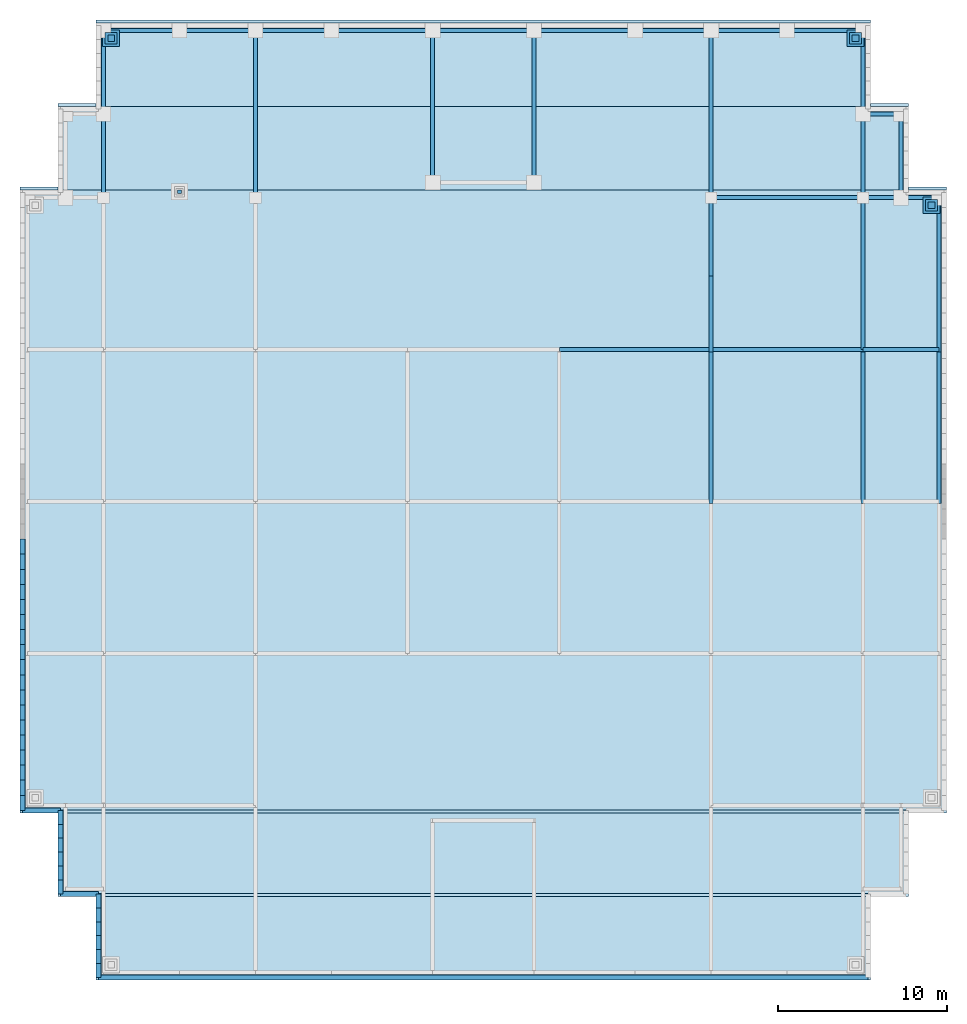
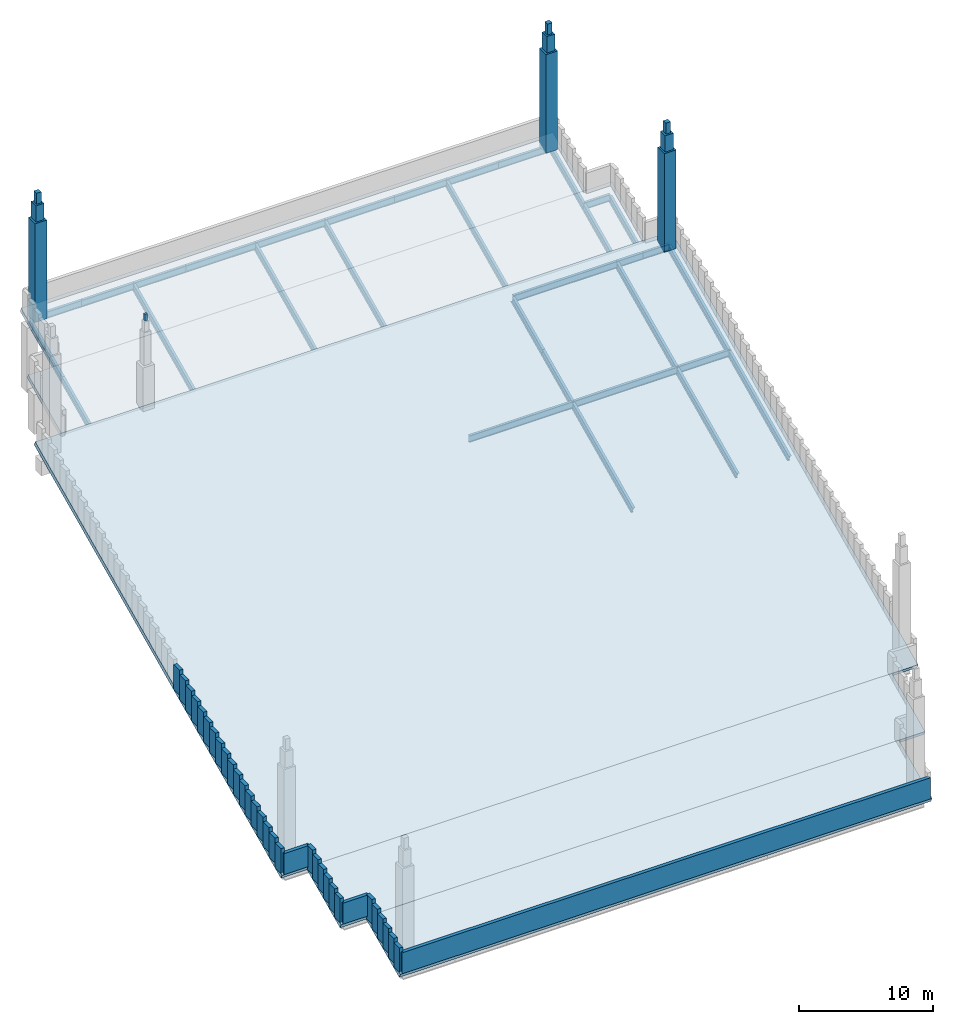
# One storey, part 2 of 5: 33 walls, 32 beams, 10 members, 5 slabs.
"""IFC4 building model written with IfcOpenShell, lengths in metres."""

from ifc_helpers import new_model, si_unit, direction, frame, frame_2d, origin, origin_2d, place, context, subcontext, project, spatial, polyline, rectangle, i_section, outline, extrude, material, layer, layer_set, material_profile, profile_set, type_object, element, save


model = new_model("IFC4")

# Units and contexts
model_context = context("Model", 3, precision=1e-05, world=origin(), true_north=direction((0.0, 1.0)))
body_context = subcontext(model_context, "Body", "Model", "MODEL_VIEW")
ifc_project = project(units=[si_unit("LENGTHUNIT", "METRE"), si_unit("AREAUNIT", "SQUARE_METRE"), si_unit("VOLUMEUNIT", "CUBIC_METRE"), si_unit("PLANEANGLEUNIT", "RADIAN"), si_unit("MASSUNIT", "GRAM", prefix="KILO")], contexts=[model_context])

# Site, building, storey
site_placement = place(None, origin())
site = spatial("IfcSite", under=ifc_project, at=site_placement, CompositionType="ELEMENT")
building_placement = place(site_placement, origin())
building = spatial("IfcBuilding", under=site, at=building_placement, Name="Corbelhall Arena Tower", CompositionType="ELEMENT")
storey_placement = place(building_placement, frame((0.0, 0.0, 391.0)))
storey = spatial("IfcBuildingStorey", under=building, at=storey_placement, Name="Roof", CompositionType="ELEMENT", Elevation=391.0)

# Members
ifc_material_1 = material(Name="Cast aluminium bronze finish", Category="aluminium")
ifc_material_profile_1 = material_profile(ifc_material_1, rectangle(XDim=1.0, YDim=1.0, at=origin_2d()))
ifc_profile_set_1 = profile_set([ifc_material_profile_1], Name="Cast aluminium bronze finish")
member_type_1 = type_object("IfcMemberType", Name="EV-PN3 Crown finial", PredefinedType="USERDEFINED", material=ifc_profile_set_1)
for number, where, z_axis, x_axis, name in (
    (1, (-22.050048828125, 27.449951171875, 6.607421875), (0.0, 0.0, 1.0), (1.0, 0.0, 0.0), "Crown finial"),
    (2, (22.050048828125, 27.449951171875, 6.607421875), (0.0, 0.0, 1.0), (1.0, 0.0, 0.0), "Crown finial"),
    (3, (26.550048828125, 17.550048828125, 1.994384765625), (0.0, 0.0, 1.0), (1.0, 0.0, 0.0), "Crown finial"),
):
    element("IfcMember", number, at=place(storey_placement, frame(where, z_axis=z_axis, x_axis=x_axis)), inside=storey, type_object=member_type_1, Name=name, ObjectType="pinnacle", PredefinedType="USERDEFINED", context=body_context, shape_type="SweptSolid", body=[
        extrude(rectangle(XDim=1.0, YDim=1.0, at=origin_2d()), origin(), (0.0, 0.0, 1.0), 9.0),
    ])
ifc_material_profile_2 = material_profile(ifc_material_1, rectangle(XDim=0.699951171875, YDim=0.699951171875, at=origin_2d()))
ifc_profile_set_2 = profile_set([ifc_material_profile_2], Name="Cast aluminium bronze finish")
member_type_2 = type_object("IfcMemberType", Name="EV-PN4 Pinnacle upper stage 700", PredefinedType="USERDEFINED", material=ifc_profile_set_2)
for number, where, z_axis, x_axis, name in (
    (4, (-22.050048828125, 27.449951171875, 15.607421875), (0.0, 0.0, 1.0), (1.0, 0.0, 0.0), "Pinnacle upper stage"),
    (5, (22.050048828125, 27.449951171875, 15.607421875), (0.0, 0.0, 1.0), (1.0, 0.0, 0.0), "Pinnacle upper stage"),
    (6, (26.550048828125, 17.550048828125, 10.994384765625), (0.0, 0.0, 1.0), (1.0, 0.0, 0.0), "Pinnacle upper stage"),
):
    element("IfcMember", number, at=place(storey_placement, frame(where, z_axis=z_axis, x_axis=x_axis)), inside=storey, type_object=member_type_2, Name=name, ObjectType="pinnacle stage", PredefinedType="USERDEFINED", context=body_context, shape_type="SweptSolid", body=[
        extrude(rectangle(XDim=0.699951171875, YDim=0.699951171875, at=origin_2d()), origin(), (0.0, 0.0, 1.0), 1.5),
    ])
ifc_material_profile_3 = material_profile(ifc_material_1, rectangle(XDim=0.39990234375, YDim=0.39990234375, at=origin_2d()))
ifc_profile_set_3 = profile_set([ifc_material_profile_3], Name="Cast aluminium bronze finish")
member_type_3 = type_object("IfcMemberType", Name="EV-PN5 Pinnacle spire 400", PredefinedType="USERDEFINED", material=ifc_profile_set_3)
for number, where, z_axis, x_axis, name in (
    (7, (-22.050048828125, 27.449951171875, 17.107421875), (0.0, 0.0, 1.0), (1.0, 0.0, 0.0), "Pinnacle spire"),
    (8, (22.050048828125, 27.449951171875, 17.107421875), (0.0, 0.0, 1.0), (1.0, 0.0, 0.0), "Pinnacle spire"),
    (9, (26.550048828125, 17.550048828125, 12.494384765625), (0.0, 0.0, 1.0), (1.0, 0.0, 0.0), "Pinnacle spire"),
):
    element("IfcMember", number, at=place(storey_placement, frame(where, z_axis=z_axis, x_axis=x_axis)), inside=storey, type_object=member_type_3, Name=name, ObjectType="pinnacle spire", PredefinedType="USERDEFINED", context=body_context, shape_type="SweptSolid", body=[
        extrude(rectangle(XDim=0.39990234375, YDim=0.39990234375, at=origin_2d()), origin(), (0.0, 0.0, 1.0), 1.0),
    ])
ifc_material_profile_4 = material_profile(ifc_material_1, rectangle(XDim=0.219970703125, YDim=0.219970703125, at=origin_2d()))
ifc_profile_set_4 = profile_set([ifc_material_profile_4], Name="Cast aluminium bronze finish")
member_type_4 = type_object("IfcMemberType", Name="EV-PN7 Pinnacle spire 220", PredefinedType="USERDEFINED", material=ifc_profile_set_4)
member_placement = place(storey_placement, frame((-18.0, 18.35009765625, 10.4501953125), z_axis=(0.0, 0.0, 1.0), x_axis=(1.0, 0.0, 0.0)))
element("IfcMember", 10, at=member_placement, inside=storey, type_object=member_type_4, Name="Pinnacle spire", ObjectType="pinnacle spire", PredefinedType="USERDEFINED", context=body_context, shape_type="SweptSolid", body=[
    extrude(rectangle(XDim=0.219970703125, YDim=0.219970703125, at=origin_2d()), origin(), (0.0, 0.0, 1.0), 0.60009765625),
])

# Beams
ifc_material_2 = material(Name="Steel ASTM A992 Gr50", Category="steel")
ifc_material_profile_5 = material_profile(ifc_material_2, i_section(OverallWidth=0.23046875, OverallDepth=0.6171875, WebThickness=0.01318359375, FlangeThickness=0.022216796875, at=origin_2d()))
ifc_profile_set_5 = profile_set([ifc_material_profile_5], Name="Steel ASTM A992 Gr50")
beam_type = type_object("IfcBeamType", Name="ST-BEAM-W24x94", PredefinedType="BEAM", material=ifc_profile_set_5)
for number, where, z_axis, x_axis, name in (
    (11, (-22.5, 18.0, 1.582763671875), (0.0, 0.906417137313, 0.422383680066), (-1.0, 0.0, 0.0), "Roof beam 13"),
    (12, (-22.5, 22.949951171875, 3.889404296875), (0.0, 0.9064342529, 0.422346948811), (-1.0, 0.0, 0.0), "Roof beam 14"),
):
    element("IfcBeam", number, at=place(storey_placement, frame(where, z_axis=z_axis, x_axis=x_axis)), inside=storey, type_object=beam_type, Name=name, PredefinedType="BEAM", context=body_context, shape_type="SweptSolid", body=[
        extrude(i_section(OverallWidth=0.23046875, OverallDepth=0.6171875, WebThickness=0.01318359375, FlangeThickness=0.022216796875, at=origin_2d()), origin(), (0.0, 0.0, 1.0), 5.4609375),
    ])
beam_1_placement = place(storey_placement, frame((-13.5, 18.0, 1.582763671875), z_axis=(0.0, 0.906425695212, 0.422365314698), x_axis=(-1.0, 0.0, 0.0)))
element("IfcBeam", 13, at=beam_1_placement, inside=storey, type_object=beam_type, Name="Roof beam 20", PredefinedType="BEAM", context=body_context, shape_type="SweptSolid", body=[
    extrude(i_section(OverallWidth=0.23046875, OverallDepth=0.6171875, WebThickness=0.01318359375, FlangeThickness=0.022216796875, at=origin_2d()), origin(), (0.0, 0.0, 1.0), 10.921875),
])
for number, where, z_axis, x_axis, name in (
    (14, (-3.0, 18.89990234375, 2.002197265625), (0.0, 0.906429857547, 0.422356381919), (-1.0, 0.0, 0.0), "Roof beam 24"),
    (15, (3.0, 18.89990234375, 2.002197265625), (0.0, 0.906429857547, 0.422356381919), (-1.0, 0.0, 0.0), "Roof beam 26"),
    (16, (13.5, 0.0, -6.80419921875), (0.0, 0.906429857547, 0.422356381919), (-1.0, 0.0, 0.0), "Roof beam 32"),
):
    element("IfcBeam", number, at=place(storey_placement, frame(where, z_axis=z_axis, x_axis=x_axis)), inside=storey, type_object=beam_type, Name=name, PredefinedType="BEAM", context=body_context, shape_type="SweptSolid", body=[
        extrude(i_section(OverallWidth=0.23046875, OverallDepth=0.6171875, WebThickness=0.01318359375, FlangeThickness=0.022216796875, at=origin_2d()), origin(), (0.0, 0.0, 1.0), 9.928955078125),
    ])
for number, where, z_axis, x_axis, name in (
    (17, (13.5, 9.0, -2.610595703125), (0.0, 0.906439270787, 0.422336179336), (-1.0, 0.0, 0.0), "Roof beam 33"),
    (18, (13.5, 13.5, -0.513916015625), (0.0, 0.906439270787, 0.422336179336), (-1.0, 0.0, 0.0), "Roof beam 34"),
):
    element("IfcBeam", number, at=place(storey_placement, frame(where, z_axis=z_axis, x_axis=x_axis)), inside=storey, type_object=beam_type, Name=name, PredefinedType="BEAM", context=body_context, shape_type="SweptSolid", body=[
        extrude(i_section(OverallWidth=0.23046875, OverallDepth=0.6171875, WebThickness=0.01318359375, FlangeThickness=0.022216796875, at=origin_2d()), origin(), (0.0, 0.0, 1.0), 4.964599609375),
    ])
beam_2_placement = place(storey_placement, frame((13.5, 18.0, 1.582763671875), z_axis=(0.0, 0.906425695212, 0.422365314698), x_axis=(-1.0, 0.0, 0.0)))
element("IfcBeam", 19, at=beam_2_placement, inside=storey, type_object=beam_type, Name="Roof beam 35", PredefinedType="BEAM", context=body_context, shape_type="SweptSolid", body=[
    extrude(i_section(OverallWidth=0.23046875, OverallDepth=0.6171875, WebThickness=0.01318359375, FlangeThickness=0.022216796875, at=origin_2d()), origin(), (0.0, 0.0, 1.0), 10.921875),
])
for number, where, z_axis, x_axis, name in (
    (20, (22.5, 0.0, -6.80419921875), (0.0, 0.906429857547, 0.422356381919), (-1.0, 0.0, 0.0), "Roof beam 40"),
    (21, (22.5, 9.0, -2.610595703125), (0.0, 0.906439270787, 0.422336179336), (-1.0, 0.0, 0.0), "Roof beam 41"),
):
    element("IfcBeam", number, at=place(storey_placement, frame(where, z_axis=z_axis, x_axis=x_axis)), inside=storey, type_object=beam_type, Name=name, PredefinedType="BEAM", context=body_context, shape_type="SweptSolid", body=[
        extrude(i_section(OverallWidth=0.23046875, OverallDepth=0.6171875, WebThickness=0.01318359375, FlangeThickness=0.022216796875, at=origin_2d()), origin(), (0.0, 0.0, 1.0), 9.928955078125),
    ])
for number, where, z_axis, x_axis, name in (
    (22, (22.5, 18.0, 1.582763671875), (0.0, 0.906417137313, 0.422383680066), (-1.0, 0.0, 0.0), "Roof beam 42"),
    (23, (22.5, 22.949951171875, 3.889404296875), (0.0, 0.9064342529, 0.422346948811), (-1.0, 0.0, 0.0), "Roof beam 43"),
    (24, (24.75, 18.0, 1.582763671875), (0.0, 0.906417137313, 0.422383680066), (-1.0, 0.0, 0.0), "Roof beam 45"),
):
    element("IfcBeam", number, at=place(storey_placement, frame(where, z_axis=z_axis, x_axis=x_axis)), inside=storey, type_object=beam_type, Name=name, PredefinedType="BEAM", context=body_context, shape_type="SweptSolid", body=[
        extrude(i_section(OverallWidth=0.23046875, OverallDepth=0.6171875, WebThickness=0.01318359375, FlangeThickness=0.022216796875, at=origin_2d()), origin(), (0.0, 0.0, 1.0), 5.4609375),
    ])
for number, where, z_axis, x_axis, name in (
    (25, (27.0, 0.0, -6.80419921875), (0.0, 0.906429857547, 0.422356381919), (-1.0, 0.0, 0.0), "Roof beam 48"),
    (26, (27.0, 9.0, -2.610595703125), (0.0, 0.906439270787, 0.422336179336), (-1.0, 0.0, 0.0), "Roof beam 49"),
):
    element("IfcBeam", number, at=place(storey_placement, frame(where, z_axis=z_axis, x_axis=x_axis)), inside=storey, type_object=beam_type, Name=name, PredefinedType="BEAM", context=body_context, shape_type="SweptSolid", body=[
        extrude(i_section(OverallWidth=0.23046875, OverallDepth=0.6171875, WebThickness=0.01318359375, FlangeThickness=0.022216796875, at=origin_2d()), origin(), (0.0, 0.0, 1.0), 9.928955078125),
    ])
for number, where, z_axis, x_axis, name in (
    (27, (4.5, 9.0, -2.578857421875), (1.0, 0.0, 0.0), (0.0, 1.0, 0.0), "Roof beam 86"),
    (28, (13.5, 9.0, -2.578857421875), (1.0, 0.0, 0.0), (0.0, 1.0, 0.0), "Roof beam 87"),
):
    element("IfcBeam", number, at=place(storey_placement, frame(where, z_axis=z_axis, x_axis=x_axis)), inside=storey, type_object=beam_type, Name=name, PredefinedType="BEAM", context=body_context, shape_type="SweptSolid", body=[
        extrude(i_section(OverallWidth=0.23046875, OverallDepth=0.6171875, WebThickness=0.01318359375, FlangeThickness=0.022216796875, at=origin_2d()), origin(), (0.0, 0.0, 1.0), 9.0),
    ])
beam_3_placement = place(storey_placement, frame((22.5, 9.0, -2.578857421875), z_axis=(1.0, 0.0, 0.0), x_axis=(0.0, 1.0, 0.0)))
element("IfcBeam", 29, at=beam_3_placement, inside=storey, type_object=beam_type, Name="Roof beam 88", PredefinedType="BEAM", context=body_context, shape_type="SweptSolid", body=[
    extrude(i_section(OverallWidth=0.23046875, OverallDepth=0.6171875, WebThickness=0.01318359375, FlangeThickness=0.022216796875, at=origin_2d()), origin(), (0.0, 0.0, 1.0), 4.5),
])
beam_4_placement = place(storey_placement, frame((13.5, 18.0, 1.61474609375), z_axis=(1.0, 0.0, 0.0), x_axis=(0.0, 1.0, 0.0)))
element("IfcBeam", 30, at=beam_4_placement, inside=storey, type_object=beam_type, Name="Roof beam 91", PredefinedType="BEAM", context=body_context, shape_type="SweptSolid", body=[
    extrude(i_section(OverallWidth=0.23046875, OverallDepth=0.6171875, WebThickness=0.01318359375, FlangeThickness=0.022216796875, at=origin_2d()), origin(), (0.0, 0.0, 1.0), 9.0),
])
for number, where, z_axis, x_axis, name in (
    (31, (22.5, 18.0, 1.61474609375), (1.0, 0.0, 0.0), (0.0, 1.0, 0.0), "Roof beam 92"),
    (32, (24.75, 18.0, 1.61474609375), (1.0, 0.0, 0.0), (0.0, 1.0, 0.0), "Roof beam 93"),
    (33, (22.5, 22.949951171875, 3.921142578125), (1.0, 0.0, 0.0), (0.0, 1.0, 0.0), "Roof beam 96"),
):
    element("IfcBeam", number, at=place(storey_placement, frame(where, z_axis=z_axis, x_axis=x_axis)), inside=storey, type_object=beam_type, Name=name, PredefinedType="BEAM", context=body_context, shape_type="SweptSolid", body=[
        extrude(i_section(OverallWidth=0.23046875, OverallDepth=0.6171875, WebThickness=0.01318359375, FlangeThickness=0.022216796875, at=origin_2d()), origin(), (0.0, 0.0, 1.0), 2.25),
    ])
for number, where, z_axis, x_axis, name in (
    (34, (-22.5, 27.89990234375, 6.2275390625), (1.0, 0.0, 0.0), (0.0, 1.0, 0.0), "Roof beam 97"),
    (35, (-18.0, 27.89990234375, 6.2275390625), (1.0, 0.0, 0.0), (0.0, 1.0, 0.0), "Roof beam 98"),
    (36, (-13.5, 27.89990234375, 6.2275390625), (1.0, 0.0, 0.0), (0.0, 1.0, 0.0), "Roof beam 99"),
):
    element("IfcBeam", number, at=place(storey_placement, frame(where, z_axis=z_axis, x_axis=x_axis)), inside=storey, type_object=beam_type, Name=name, PredefinedType="BEAM", context=body_context, shape_type="SweptSolid", body=[
        extrude(i_section(OverallWidth=0.23046875, OverallDepth=0.6171875, WebThickness=0.01318359375, FlangeThickness=0.022216796875, at=origin_2d()), origin(), (0.0, 0.0, 1.0), 4.5),
    ])
for number, where, z_axis, x_axis, name in (
    (37, (-9.0, 27.89990234375, 6.2275390625), (1.0, 0.0, 0.0), (0.0, 1.0, 0.0), "Roof beam 100"),
    (38, (-3.0, 27.89990234375, 6.2275390625), (1.0, 0.0, 0.0), (0.0, 1.0, 0.0), "Roof beam 101"),
    (39, (3.0, 27.89990234375, 6.2275390625), (1.0, 0.0, 0.0), (0.0, 1.0, 0.0), "Roof beam 102"),
):
    element("IfcBeam", number, at=place(storey_placement, frame(where, z_axis=z_axis, x_axis=x_axis)), inside=storey, type_object=beam_type, Name=name, PredefinedType="BEAM", context=body_context, shape_type="SweptSolid", body=[
        extrude(i_section(OverallWidth=0.23046875, OverallDepth=0.6171875, WebThickness=0.01318359375, FlangeThickness=0.022216796875, at=origin_2d()), origin(), (0.0, 0.0, 1.0), 6.0),
    ])
for number, where, z_axis, x_axis, name in (
    (40, (9.0, 27.89990234375, 6.2275390625), (1.0, 0.0, 0.0), (0.0, 1.0, 0.0), "Roof beam 103"),
    (41, (13.5, 27.89990234375, 6.2275390625), (1.0, 0.0, 0.0), (0.0, 1.0, 0.0), "Roof beam 104"),
    (42, (18.0, 27.89990234375, 6.2275390625), (1.0, 0.0, 0.0), (0.0, 1.0, 0.0), "Roof beam 105"),
):
    element("IfcBeam", number, at=place(storey_placement, frame(where, z_axis=z_axis, x_axis=x_axis)), inside=storey, type_object=beam_type, Name=name, PredefinedType="BEAM", context=body_context, shape_type="SweptSolid", body=[
        extrude(i_section(OverallWidth=0.23046875, OverallDepth=0.6171875, WebThickness=0.01318359375, FlangeThickness=0.022216796875, at=origin_2d()), origin(), (0.0, 0.0, 1.0), 4.5),
    ])

# Slabs
ifc_material_3 = material(Name="Concrete C40/50", Category="concrete")
ifc_layer_1 = layer(ifc_material_3, 0.42041015625)
ifc_layer_set_1 = layer_set([ifc_layer_1], Name="ST-SLAB-ROOF-420")
slab_type = type_object("IfcSlabType", Name="ST-SLAB-ROOF-420", PredefinedType="ROOF", material=ifc_layer_set_1)
slab_1_placement = place(storey_placement, frame((22.949951171875, -28.35009765625, -19.209716796875), z_axis=(0.0, -0.422329834263, 0.906442227112), x_axis=(0.0, 0.906442227112, 0.422329834263)))
element("IfcSlab", 43, at=slab_1_placement, inside=storey, type_object=slab_type, Name="Crown roof slab 1", PredefinedType="ROOF", context=body_context, shape_type="SweptSolid", body=[
    extrude(outline(polyline([(0.0, 0.0), (5.461126108691717, 0.0), (5.461126108691717, 45.89990234375), (0.0, 45.89990234375), (0.0, 0.0)])), origin(), (0.0, 0.0, -1.0), 0.42041015625),
])
slab_2_placement = place(storey_placement, frame((25.199951171875, -23.39990234375, -16.9033203125), z_axis=(0.0, -0.422383680066, 0.906417137313), x_axis=(0.0, 0.906417137313, 0.422383680066)))
element("IfcSlab", 44, at=slab_2_placement, inside=storey, type_object=slab_type, Name="Crown roof slab 2", PredefinedType="ROOF", context=body_context, shape_type="SweptSolid", body=[
    extrude(outline(polyline([(0.0, 0.0), (5.461007926825147, 0.0), (5.461007926825147, 50.39990234375), (0.0, 50.39990234375), (0.0, 48.14990234375), (0.0, 2.25), (0.0, 0.0)])), origin(), (0.0, 0.0, -1.0), 0.42041015625),
])
slab_3_placement = place(storey_placement, frame((27.449951171875, 18.449951171875, 2.5966796875), z_axis=(0.0, -0.422348923684, 0.906433332719), x_axis=(-1.0, 0.0, 0.0)))
element("IfcSlab", 45, at=slab_3_placement, inside=storey, type_object=slab_type, Name="Crown roof slab 3", PredefinedType="ROOF", context=body_context, shape_type="SweptSolid", body=[
    extrude(outline(polyline([(0.0, 0.0), (2.25, 0.0), (52.64990234375, 0.0), (54.89990234375, 0.0), (54.89990234375, 40.70889828497189), (52.64990234375, 40.70889828497189), (2.25, 40.70889828497189), (0.0, 40.70889828497189), (0.0, 0.0)])), origin(), (0.0, 0.0, -1.0), 0.42041015625),
])
slab_4_placement = place(storey_placement, frame((-25.199951171875, 23.39990234375, 4.9033203125), z_axis=(0.0, -0.422383680066, 0.906417137313), x_axis=(0.0, -0.906417137313, -0.422383680066)))
element("IfcSlab", 46, at=slab_4_placement, inside=storey, type_object=slab_type, Name="Crown roof slab 4", PredefinedType="ROOF", context=body_context, shape_type="SweptSolid", body=[
    extrude(outline(polyline([(0.0, 0.0), (5.461007926825147, 0.0), (5.461007926825147, 50.39990234375), (0.0, 50.39990234375), (0.0, 48.14990234375), (0.0, 2.25), (0.0, 0.0)])), origin(), (0.0, 0.0, -1.0), 0.42041015625),
])
slab_5_placement = place(storey_placement, frame((-22.949951171875, 28.35009765625, 7.209716796875), z_axis=(0.0, -0.422329834263, 0.906442227112), x_axis=(0.0, -0.906442227112, -0.422329834263)))
element("IfcSlab", 47, at=slab_5_placement, inside=storey, type_object=slab_type, Name="Crown roof slab 5", PredefinedType="ROOF", context=body_context, shape_type="SweptSolid", body=[
    extrude(outline(polyline([(0.0, 0.0), (5.461126108691717, 0.0), (5.461126108691717, 45.89990234375), (0.0, 45.89990234375), (0.0, 0.0)])), origin(), (0.0, 0.0, -1.0), 0.42041015625),
])

# Walls
ifc_material_4 = material(Name="Precast concrete C40/50 with granite facing", Category="masonry")
ifc_layer_2 = layer(ifc_material_4, 0.300048828125)
ifc_layer_set_2 = layer_set([ifc_layer_2], Name="EV-IW3 Parapet 300")
wall_type = type_object("IfcWallType", Name="EV-IW3 Parapet 300", PredefinedType="SOLIDWALL", material=ifc_layer_set_2)
wall_1_placement = place(storey_placement, frame((22.800048828125, -28.199951171875, -19.209716796875), z_axis=(0.0, 0.0, 1.0), x_axis=(-1.0, 0.0, 0.0)))
element("IfcWall", 48, at=wall_1_placement, inside=storey, type_object=wall_type, Name="Roof parapet", PredefinedType="SOLIDWALL", context=body_context, shape_type="SweptSolid", body=[
    extrude(rectangle(XDim=45.60009765625, YDim=0.300048828125, at=frame_2d((22.800048828125, 0.0))), origin(), (0.0, 0.0, 1.0), 1.919921875),
])
wall_2_placement = place(storey_placement, frame((-22.800048828125, -28.199951171875, -19.139892578125), z_axis=(0.0, 0.0, 1.0), x_axis=(0.0, 1.0, 0.0)))
element("IfcWall", 49, at=wall_2_placement, inside=storey, type_object=wall_type, Name="Roof parapet", PredefinedType="SOLIDWALL", context=body_context, shape_type="SweptSolid", body=[
    extrude(rectangle(XDim=0.824951171875, YDim=0.300048828125, at=frame_2d((0.41259765625, 0.0))), origin(), (0.0, 0.0, 1.0), 2.234619140625),
])
for number, where, z_axis, x_axis, name in (
    (50, (-22.800048828125, -27.375, -18.75537109375), (0.0, 0.0, 1.0), (0.0, 1.0, 0.0), "Roof parapet"),
    (51, (-22.800048828125, -26.550048828125, -18.370849609375), (0.0, 0.0, 1.0), (0.0, 1.0, 0.0), "Roof parapet"),
):
    element("IfcWall", number, at=place(storey_placement, frame(where, z_axis=z_axis, x_axis=x_axis)), inside=storey, type_object=wall_type, Name=name, PredefinedType="SOLIDWALL", context=body_context, shape_type="SweptSolid", body=[
        extrude(rectangle(XDim=0.824951171875, YDim=0.300048828125, at=frame_2d((0.41259765625, 0.0))), origin(), (0.0, 0.0, 1.0), 2.234375),
    ])
wall_3_placement = place(storey_placement, frame((-22.800048828125, -25.72509765625, -17.986572265625), z_axis=(0.0, 0.0, 1.0), x_axis=(0.0, 1.0, 0.0)))
element("IfcWall", 52, at=wall_3_placement, inside=storey, type_object=wall_type, Name="Roof parapet", PredefinedType="SOLIDWALL", context=body_context, shape_type="SweptSolid", body=[
    extrude(rectangle(XDim=0.8251953125, YDim=0.300048828125, at=frame_2d((0.41259765625, 0.0))), origin(), (0.0, 0.0, 1.0), 2.234375),
])
for number, where, z_axis, x_axis, name in (
    (53, (-22.800048828125, -24.89990234375, -17.60205078125), (0.0, 0.0, 1.0), (0.0, 1.0, 0.0), "Roof parapet"),
    (54, (-22.800048828125, -24.074951171875, -17.2177734375), (0.0, 0.0, 1.0), (0.0, 1.0, 0.0), "Roof parapet"),
):
    element("IfcWall", number, at=place(storey_placement, frame(where, z_axis=z_axis, x_axis=x_axis)), inside=storey, type_object=wall_type, Name=name, PredefinedType="SOLIDWALL", context=body_context, shape_type="SweptSolid", body=[
        extrude(rectangle(XDim=0.824951171875, YDim=0.300048828125, at=frame_2d((0.41259765625, 0.0))), origin(), (0.0, 0.0, 1.0), 2.234375),
    ])
wall_4_placement = place(storey_placement, frame((-22.800048828125, -23.25, -16.9033203125), z_axis=(0.0, 0.0, 1.0), x_axis=(-1.0, 0.0, 0.0)))
element("IfcWall", 55, at=wall_4_placement, inside=storey, type_object=wall_type, Name="Roof parapet", PredefinedType="SOLIDWALL", context=body_context, shape_type="SweptSolid", body=[
    extrude(rectangle(XDim=2.25, YDim=0.300048828125, at=frame_2d((1.125, 0.0))), origin(), (0.0, 0.0, 1.0), 1.919921875),
])
for number, where, z_axis, x_axis, name in (
    (56, (-25.050048828125, -23.25, -16.833251953125), (0.0, 0.0, 1.0), (0.0, 1.0, 0.0), "Roof parapet"),
    (57, (-25.050048828125, -22.425048828125, -16.448974609375), (0.0, 0.0, 1.0), (0.0, 1.0, 0.0), "Roof parapet"),
):
    element("IfcWall", number, at=place(storey_placement, frame(where, z_axis=z_axis, x_axis=x_axis)), inside=storey, type_object=wall_type, Name=name, PredefinedType="SOLIDWALL", context=body_context, shape_type="SweptSolid", body=[
        extrude(rectangle(XDim=0.824951171875, YDim=0.300048828125, at=frame_2d((0.41259765625, 0.0))), origin(), (0.0, 0.0, 1.0), 2.234375),
    ])
wall_5_placement = place(storey_placement, frame((-25.050048828125, -21.60009765625, -16.064453125), z_axis=(0.0, 0.0, 1.0), x_axis=(0.0, 1.0, 0.0)))
element("IfcWall", 58, at=wall_5_placement, inside=storey, type_object=wall_type, Name="Roof parapet", PredefinedType="SOLIDWALL", context=body_context, shape_type="SweptSolid", body=[
    extrude(rectangle(XDim=0.8251953125, YDim=0.300048828125, at=frame_2d((0.41259765625, 0.0))), origin(), (0.0, 0.0, 1.0), 2.234375),
])
for number, where, z_axis, x_axis, name in (
    (59, (-25.050048828125, -20.77490234375, -15.68017578125), (0.0, 0.0, 1.0), (0.0, 1.0, 0.0), "Roof parapet"),
    (60, (-25.050048828125, -19.949951171875, -15.295654296875), (0.0, 0.0, 1.0), (0.0, 1.0, 0.0), "Roof parapet"),
    (61, (-25.050048828125, -19.125, -14.911376953125), (0.0, 0.0, 1.0), (0.0, 1.0, 0.0), "Roof parapet"),
):
    element("IfcWall", number, at=place(storey_placement, frame(where, z_axis=z_axis, x_axis=x_axis)), inside=storey, type_object=wall_type, Name=name, PredefinedType="SOLIDWALL", context=body_context, shape_type="SweptSolid", body=[
        extrude(rectangle(XDim=0.824951171875, YDim=0.300048828125, at=frame_2d((0.41259765625, 0.0))), origin(), (0.0, 0.0, 1.0), 2.234375),
    ])
wall_6_placement = place(storey_placement, frame((-25.050048828125, -18.300048828125, -14.5966796875), z_axis=(0.0, 0.0, 1.0), x_axis=(-1.0, 0.0, 0.0)))
element("IfcWall", 62, at=wall_6_placement, inside=storey, type_object=wall_type, Name="Roof parapet", PredefinedType="SOLIDWALL", context=body_context, shape_type="SweptSolid", body=[
    extrude(rectangle(XDim=2.25, YDim=0.300048828125, at=frame_2d((1.125, 0.0))), origin(), (0.0, 0.0, 1.0), 1.919677734375),
])
wall_7_placement = place(storey_placement, frame((-27.300048828125, -18.300048828125, -14.52685546875), z_axis=(0.0, 0.0, 1.0), x_axis=(0.0, 1.0, 0.0)))
element("IfcWall", 63, at=wall_7_placement, inside=storey, type_object=wall_type, Name="Roof parapet", PredefinedType="SOLIDWALL", context=body_context, shape_type="SweptSolid", body=[
    extrude(rectangle(XDim=0.892822265625, YDim=0.300048828125, at=frame_2d((0.4462890625, 0.0))), origin(), (0.0, 0.0, 1.0), 2.265869140625),
])
wall_8_placement = place(storey_placement, frame((-27.300048828125, -17.4072265625, -14.11083984375), z_axis=(0.0, 0.0, 1.0), x_axis=(0.0, 1.0, 0.0)))
element("IfcWall", 64, at=wall_8_placement, inside=storey, type_object=wall_type, Name="Roof parapet", PredefinedType="SOLIDWALL", context=body_context, shape_type="SweptSolid", body=[
    extrude(rectangle(XDim=0.892578125, YDim=0.300048828125, at=frame_2d((0.4462890625, 0.0))), origin(), (0.0, 0.0, 1.0), 2.265869140625),
])
wall_9_placement = place(storey_placement, frame((-27.300048828125, -16.5146484375, -13.695068359375), z_axis=(0.0, 0.0, 1.0), x_axis=(0.0, 1.0, 0.0)))
element("IfcWall", 65, at=wall_9_placement, inside=storey, type_object=wall_type, Name="Roof parapet", PredefinedType="SOLIDWALL", context=body_context, shape_type="SweptSolid", body=[
    extrude(rectangle(XDim=0.892578125, YDim=0.300048828125, at=frame_2d((0.4462890625, 0.0))), origin(), (0.0, 0.0, 1.0), 2.26611328125),
])
wall_10_placement = place(storey_placement, frame((-27.300048828125, -15.6220703125, -13.279052734375), z_axis=(0.0, 0.0, 1.0), x_axis=(0.0, 1.0, 0.0)))
element("IfcWall", 66, at=wall_10_placement, inside=storey, type_object=wall_type, Name="Roof parapet", PredefinedType="SOLIDWALL", context=body_context, shape_type="SweptSolid", body=[
    extrude(rectangle(XDim=0.892822265625, YDim=0.300048828125, at=frame_2d((0.4462890625, 0.0))), origin(), (0.0, 0.0, 1.0), 2.265869140625),
])
wall_11_placement = place(storey_placement, frame((-27.300048828125, -14.729248046875, -12.863037109375), z_axis=(0.0, 0.0, 1.0), x_axis=(0.0, 1.0, 0.0)))
element("IfcWall", 67, at=wall_11_placement, inside=storey, type_object=wall_type, Name="Roof parapet", PredefinedType="SOLIDWALL", context=body_context, shape_type="SweptSolid", body=[
    extrude(rectangle(XDim=0.892578125, YDim=0.300048828125, at=frame_2d((0.4462890625, 0.0))), origin(), (0.0, 0.0, 1.0), 2.265869140625),
])
wall_12_placement = place(storey_placement, frame((-27.300048828125, -13.836669921875, -12.447265625), z_axis=(0.0, 0.0, 1.0), x_axis=(0.0, 1.0, 0.0)))
element("IfcWall", 68, at=wall_12_placement, inside=storey, type_object=wall_type, Name="Roof parapet", PredefinedType="SOLIDWALL", context=body_context, shape_type="SweptSolid", body=[
    extrude(rectangle(XDim=0.892822265625, YDim=0.300048828125, at=frame_2d((0.4462890625, 0.0))), origin(), (0.0, 0.0, 1.0), 2.26611328125),
])
wall_13_placement = place(storey_placement, frame((-27.300048828125, -12.94384765625, -12.03125), z_axis=(0.0, 0.0, 1.0), x_axis=(0.0, 1.0, 0.0)))
element("IfcWall", 69, at=wall_13_placement, inside=storey, type_object=wall_type, Name="Roof parapet", PredefinedType="SOLIDWALL", context=body_context, shape_type="SweptSolid", body=[
    extrude(rectangle(XDim=0.892578125, YDim=0.300048828125, at=frame_2d((0.4462890625, 0.0))), origin(), (0.0, 0.0, 1.0), 2.265869140625),
])
wall_14_placement = place(storey_placement, frame((-27.300048828125, -12.05126953125, -11.615234375), z_axis=(0.0, 0.0, 1.0), x_axis=(0.0, 1.0, 0.0)))
element("IfcWall", 70, at=wall_14_placement, inside=storey, type_object=wall_type, Name="Roof parapet", PredefinedType="SOLIDWALL", context=body_context, shape_type="SweptSolid", body=[
    extrude(rectangle(XDim=0.892822265625, YDim=0.300048828125, at=frame_2d((0.4462890625, 0.0))), origin(), (0.0, 0.0, 1.0), 2.265869140625),
])
wall_15_placement = place(storey_placement, frame((-27.300048828125, -11.158447265625, -11.19921875), z_axis=(0.0, 0.0, 1.0), x_axis=(0.0, 1.0, 0.0)))
element("IfcWall", 71, at=wall_15_placement, inside=storey, type_object=wall_type, Name="Roof parapet", PredefinedType="SOLIDWALL", context=body_context, shape_type="SweptSolid", body=[
    extrude(rectangle(XDim=0.892578125, YDim=0.300048828125, at=frame_2d((0.4462890625, 0.0))), origin(), (0.0, 0.0, 1.0), 2.265869140625),
])
wall_16_placement = place(storey_placement, frame((-27.300048828125, -10.265869140625, -10.783447265625), z_axis=(0.0, 0.0, 1.0), x_axis=(0.0, 1.0, 0.0)))
element("IfcWall", 72, at=wall_16_placement, inside=storey, type_object=wall_type, Name="Roof parapet", PredefinedType="SOLIDWALL", context=body_context, shape_type="SweptSolid", body=[
    extrude(rectangle(XDim=0.892578125, YDim=0.300048828125, at=frame_2d((0.4462890625, 0.0))), origin(), (0.0, 0.0, 1.0), 2.26611328125),
])
wall_17_placement = place(storey_placement, frame((-27.300048828125, -9.373291015625, -10.367431640625), z_axis=(0.0, 0.0, 1.0), x_axis=(0.0, 1.0, 0.0)))
element("IfcWall", 73, at=wall_17_placement, inside=storey, type_object=wall_type, Name="Roof parapet", PredefinedType="SOLIDWALL", context=body_context, shape_type="SweptSolid", body=[
    extrude(rectangle(XDim=0.892822265625, YDim=0.300048828125, at=frame_2d((0.4462890625, 0.0))), origin(), (0.0, 0.0, 1.0), 2.265869140625),
])
wall_18_placement = place(storey_placement, frame((-27.300048828125, -8.48046875, -9.951416015625), z_axis=(0.0, 0.0, 1.0), x_axis=(0.0, 1.0, 0.0)))
element("IfcWall", 74, at=wall_18_placement, inside=storey, type_object=wall_type, Name="Roof parapet", PredefinedType="SOLIDWALL", context=body_context, shape_type="SweptSolid", body=[
    extrude(rectangle(XDim=0.892578125, YDim=0.300048828125, at=frame_2d((0.4462890625, 0.0))), origin(), (0.0, 0.0, 1.0), 2.265869140625),
])
wall_19_placement = place(storey_placement, frame((-27.300048828125, -7.587890625, -9.53564453125), z_axis=(0.0, 0.0, 1.0), x_axis=(0.0, 1.0, 0.0)))
element("IfcWall", 75, at=wall_19_placement, inside=storey, type_object=wall_type, Name="Roof parapet", PredefinedType="SOLIDWALL", context=body_context, shape_type="SweptSolid", body=[
    extrude(rectangle(XDim=0.892822265625, YDim=0.300048828125, at=frame_2d((0.4462890625, 0.0))), origin(), (0.0, 0.0, 1.0), 2.26611328125),
])
wall_20_placement = place(storey_placement, frame((-27.300048828125, -6.695068359375, -9.11962890625), z_axis=(0.0, 0.0, 1.0), x_axis=(0.0, 1.0, 0.0)))
element("IfcWall", 76, at=wall_20_placement, inside=storey, type_object=wall_type, Name="Roof parapet", PredefinedType="SOLIDWALL", context=body_context, shape_type="SweptSolid", body=[
    extrude(rectangle(XDim=0.892578125, YDim=0.300048828125, at=frame_2d((0.4462890625, 0.0))), origin(), (0.0, 0.0, 1.0), 2.265869140625),
])
wall_21_placement = place(storey_placement, frame((-27.300048828125, -5.802490234375, -8.70361328125), z_axis=(0.0, 0.0, 1.0), x_axis=(0.0, 1.0, 0.0)))
element("IfcWall", 77, at=wall_21_placement, inside=storey, type_object=wall_type, Name="Roof parapet", PredefinedType="SOLIDWALL", context=body_context, shape_type="SweptSolid", body=[
    extrude(rectangle(XDim=0.892822265625, YDim=0.300048828125, at=frame_2d((0.4462890625, 0.0))), origin(), (0.0, 0.0, 1.0), 2.265869140625),
])
wall_22_placement = place(storey_placement, frame((-27.300048828125, -4.90966796875, -8.28759765625), z_axis=(0.0, 0.0, 1.0), x_axis=(0.0, 1.0, 0.0)))
element("IfcWall", 78, at=wall_22_placement, inside=storey, type_object=wall_type, Name="Roof parapet", PredefinedType="SOLIDWALL", context=body_context, shape_type="SweptSolid", body=[
    extrude(rectangle(XDim=0.892578125, YDim=0.300048828125, at=frame_2d((0.4462890625, 0.0))), origin(), (0.0, 0.0, 1.0), 2.265869140625),
])
wall_23_placement = place(storey_placement, frame((-27.300048828125, -4.01708984375, -7.871826171875), z_axis=(0.0, 0.0, 1.0), x_axis=(0.0, 1.0, 0.0)))
element("IfcWall", 79, at=wall_23_placement, inside=storey, type_object=wall_type, Name="Roof parapet", PredefinedType="SOLIDWALL", context=body_context, shape_type="SweptSolid", body=[
    extrude(rectangle(XDim=0.892578125, YDim=0.300048828125, at=frame_2d((0.4462890625, 0.0))), origin(), (0.0, 0.0, 1.0), 2.26611328125),
])
wall_24_placement = place(storey_placement, frame((-27.300048828125, -3.12451171875, -7.455810546875), z_axis=(0.0, 0.0, 1.0), x_axis=(0.0, 1.0, 0.0)))
element("IfcWall", 80, at=wall_24_placement, inside=storey, type_object=wall_type, Name="Roof parapet", PredefinedType="SOLIDWALL", context=body_context, shape_type="SweptSolid", body=[
    extrude(rectangle(XDim=0.892822265625, YDim=0.300048828125, at=frame_2d((0.4462890625, 0.0))), origin(), (0.0, 0.0, 1.0), 2.265869140625),
])

save(model, "model.ifc")
